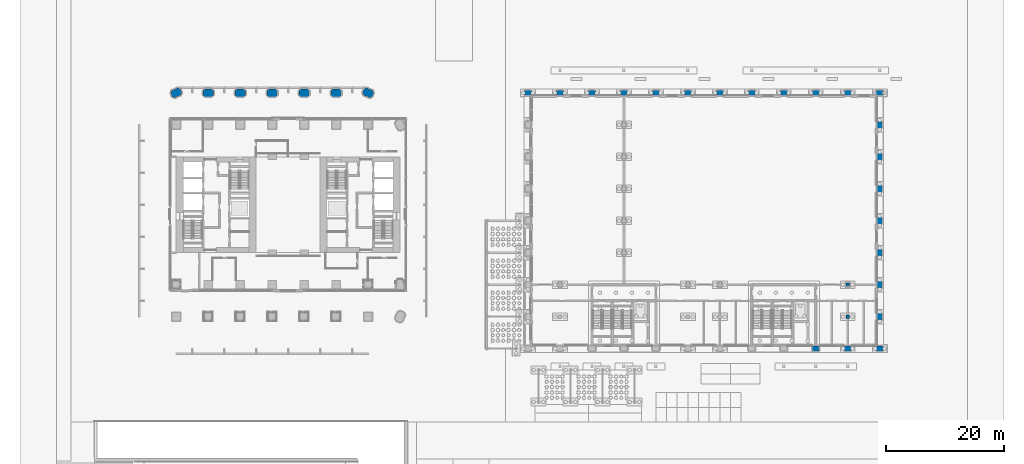
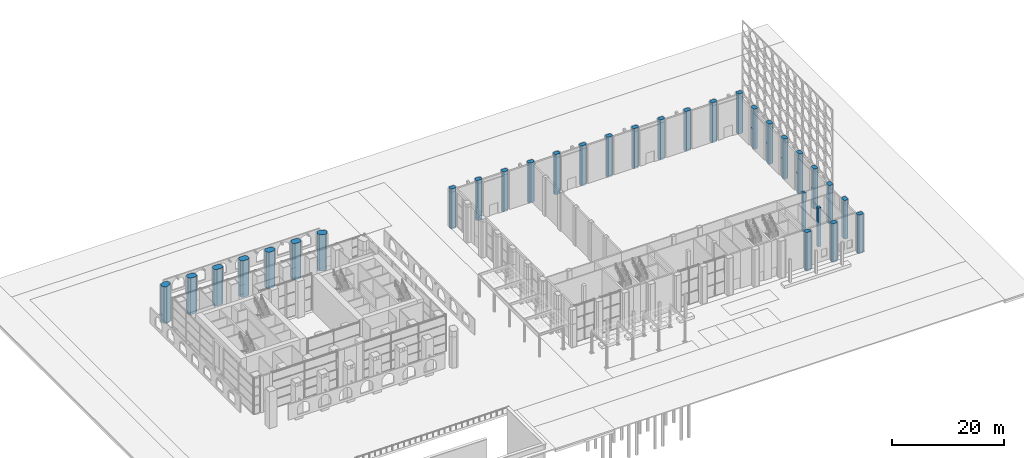
# One storey, part 7 of 54: 31 columns.
"""IFC4 building model written with IfcOpenShell, lengths in metres."""

from ifc_helpers import new_model, si_unit, direction, frame, origin, origin_2d, place, context, subcontext, project, spatial, polyline, rectangle, outline, extrude, material, material_profile, profile_set, type_object, element, save


model = new_model("IFC4")

# Units and contexts
model_context = context("Model", 3, precision=1e-05, world=origin(), true_north=direction((0.0, 1.0)))
body_context = subcontext(model_context, "Body", "Model", "MODEL_VIEW")
ifc_project = project(units=[si_unit("LENGTHUNIT", "METRE"), si_unit("AREAUNIT", "SQUARE_METRE"), si_unit("VOLUMEUNIT", "CUBIC_METRE"), si_unit("PLANEANGLEUNIT", "RADIAN"), si_unit("MASSUNIT", "GRAM", prefix="KILO")], contexts=[model_context])

# Site, building, storey
site_placement = place(None, origin())
site = spatial("IfcSite", under=ifc_project, at=site_placement, CompositionType="ELEMENT")
building_placement = place(site_placement, origin())
building = spatial("IfcBuilding", under=site, at=building_placement, Name="Tabaq Tower and Sports Hall", CompositionType="ELEMENT")
storey_placement = place(building_placement, origin())
storey = spatial("IfcBuildingStorey", under=building, at=storey_placement, Name="L00", CompositionType="ELEMENT", Elevation=0.0)

# Columns
ifc_material_1 = material(Name="Concrete C50/60", Category="concrete")
ifc_material_profile_1 = material_profile(ifc_material_1, rectangle(XDim=0.60009765625, YDim=0.60009765625, at=origin_2d()), Name="RC 600x600")
ifc_profile_set_1 = profile_set([ifc_material_profile_1], Name="Concrete C50/60")
column_type_1 = type_object("IfcColumnType", Name="HALL COLUMN RC 600x600", PredefinedType="COLUMN", material=ifc_profile_set_1)
for number, where, z_axis, x_axis, name in (
    (1, (118.800048828125, 5.39990234375, -0.39990234375), (0.0, 0.0, 1.0), (1.0, 0.0, 0.0), "Column 23B L00"),
    (2, (118.800048828125, 10.800048828125, -0.39990234375), (0.0, 0.0, 1.0), (1.0, 0.0, 0.0), "Column 23C L00"),
):
    element("IfcColumn", number, at=place(storey_placement, frame(where, z_axis=z_axis, x_axis=x_axis)), inside=storey, type_object=column_type_1, Name=name, PredefinedType="COLUMN", context=body_context, shape_type="SweptSolid", body=[
        extrude(rectangle(XDim=0.60009765625, YDim=0.60009765625, at=origin_2d()), origin(), (0.0, 0.0, 1.0), 8.5),
    ])
ifc_material_2 = material(Name="Concrete C50/60", Category="concrete")
ifc_material_profile_2 = material_profile(ifc_material_2, outline(polyline([(-0.39990234375, -0.449951171875), (0.39990234375, -0.449951171875), (0.60009765625, -0.25), (0.60009765625, 0.25), (0.39990234375, 0.449951171875), (-0.39990234375, 0.449951171875), (-0.60009765625, 0.25), (-0.60009765625, -0.25), (-0.39990234375, -0.449951171875)])), Name="PIER 1200x900")
ifc_profile_set_2 = profile_set([ifc_material_profile_2], Name="Concrete C50/60")
column_type_2 = type_object("IfcColumnType", Name="HALL PIER RC 1200x900", PredefinedType="COLUMN", material=ifc_profile_set_2)
for number, where, z_axis, x_axis, name in (
    (3, (64.800048828125, 43.199951171875, -0.39990234375), (0.0, 0.0, 1.0), (1.0, 0.0, 0.0), "Pier 13I L00"),
    (4, (70.199951171875, 43.199951171875, -0.39990234375), (0.0, 0.0, 1.0), (1.0, 0.0, 0.0), "Pier 14I L00"),
    (5, (75.60009765625, 43.199951171875, -0.39990234375), (0.0, 0.0, 1.0), (1.0, 0.0, 0.0), "Pier 15I L00"),
    (6, (81.0, 43.199951171875, -0.39990234375), (0.0, 0.0, 1.0), (1.0, 0.0, 0.0), "Pier 16I L00"),
    (7, (86.39990234375, 43.199951171875, -0.39990234375), (0.0, 0.0, 1.0), (1.0, 0.0, 0.0), "Pier 17I L00"),
    (8, (91.800048828125, 43.199951171875, -0.39990234375), (0.0, 0.0, 1.0), (1.0, 0.0, 0.0), "Pier 18I L00"),
    (9, (97.199951171875, 43.199951171875, -0.39990234375), (0.0, 0.0, 1.0), (1.0, 0.0, 0.0), "Pier 19I L00"),
    (10, (102.60009765625, 43.199951171875, -0.39990234375), (0.0, 0.0, 1.0), (1.0, 0.0, 0.0), "Pier 20I L00"),
    (11, (108.0, 43.199951171875, -0.39990234375), (0.0, 0.0, 1.0), (1.0, 0.0, 0.0), "Pier 21I L00"),
):
    element("IfcColumn", number, at=place(storey_placement, frame(where, z_axis=z_axis, x_axis=x_axis)), inside=storey, type_object=column_type_2, Name=name, PredefinedType="COLUMN", context=body_context, shape_type="SweptSolid", body=[
        extrude(outline(polyline([(-0.39990234375, -0.449951171875), (0.39990234375, -0.449951171875), (0.60009765625, -0.25), (0.60009765625, 0.25), (0.39990234375, 0.449951171875), (-0.39990234375, 0.449951171875), (-0.60009765625, 0.25), (-0.60009765625, -0.25), (-0.39990234375, -0.449951171875)])), origin(), (0.0, 0.0, 1.0), 8.7998046875),
    ])
column_1_placement = place(storey_placement, frame((113.39990234375, 0.0, -0.39990234375), z_axis=(0.0, 0.0, 1.0), x_axis=(1.0, 0.0, 0.0)))
element("IfcColumn", 12, at=column_1_placement, inside=storey, type_object=column_type_2, Name="Pier 22A L00", PredefinedType="COLUMN", context=body_context, shape_type="SweptSolid", body=[
    extrude(outline(polyline([(-0.39990234375, -0.449951171875), (0.39990234375, -0.449951171875), (0.60009765625, -0.25), (0.60009765625, 0.25), (0.39990234375, 0.449951171875), (-0.39990234375, 0.449951171875), (-0.60009765625, 0.25), (-0.60009765625, -0.25), (-0.39990234375, -0.449951171875)])), origin(), (0.0, 0.0, 1.0), 8.5),
])
column_2_placement = place(storey_placement, frame((113.39990234375, 43.199951171875, -0.39990234375), z_axis=(0.0, 0.0, 1.0), x_axis=(1.0, 0.0, 0.0)))
element("IfcColumn", 13, at=column_2_placement, inside=storey, type_object=column_type_2, Name="Pier 22I L00", PredefinedType="COLUMN", context=body_context, shape_type="SweptSolid", body=[
    extrude(outline(polyline([(-0.39990234375, -0.449951171875), (0.39990234375, -0.449951171875), (0.60009765625, -0.25), (0.60009765625, 0.25), (0.39990234375, 0.449951171875), (-0.39990234375, 0.449951171875), (-0.60009765625, 0.25), (-0.60009765625, -0.25), (-0.39990234375, -0.449951171875)])), origin(), (0.0, 0.0, 1.0), 8.7998046875),
])
column_3_placement = place(storey_placement, frame((118.800048828125, 0.0, -0.39990234375), z_axis=(0.0, 0.0, 1.0), x_axis=(1.0, 0.0, 0.0)))
element("IfcColumn", 14, at=column_3_placement, inside=storey, type_object=column_type_2, Name="Pier 23A L00", PredefinedType="COLUMN", context=body_context, shape_type="SweptSolid", body=[
    extrude(outline(polyline([(-0.39990234375, -0.449951171875), (0.39990234375, -0.449951171875), (0.60009765625, -0.25), (0.60009765625, 0.25), (0.39990234375, 0.449951171875), (-0.39990234375, 0.449951171875), (-0.60009765625, 0.25), (-0.60009765625, -0.25), (-0.39990234375, -0.449951171875)])), origin(), (0.0, 0.0, 1.0), 8.5),
])
column_4_placement = place(storey_placement, frame((118.800048828125, 43.199951171875, -0.39990234375), z_axis=(0.0, 0.0, 1.0), x_axis=(1.0, 0.0, 0.0)))
element("IfcColumn", 15, at=column_4_placement, inside=storey, type_object=column_type_2, Name="Pier 23I L00", PredefinedType="COLUMN", context=body_context, shape_type="SweptSolid", body=[
    extrude(outline(polyline([(-0.39990234375, -0.449951171875), (0.39990234375, -0.449951171875), (0.60009765625, -0.25), (0.60009765625, 0.25), (0.39990234375, 0.449951171875), (-0.39990234375, 0.449951171875), (-0.60009765625, 0.25), (-0.60009765625, -0.25), (-0.39990234375, -0.449951171875)])), origin(), (0.0, 0.0, 1.0), 8.7998046875),
])
for number, where, z_axis, x_axis, name in (
    (16, (124.199951171875, 0.0, -0.39990234375), (0.0, 0.0, 1.0), (1.0, 0.0, 0.0), "Pier 24A L00"),
    (17, (124.199951171875, 5.39990234375, -0.39990234375), (0.0, 0.0, 1.0), (0.0, 1.0, 0.0), "Pier 24B L00"),
    (18, (124.199951171875, 10.800048828125, -0.39990234375), (0.0, 0.0, 1.0), (0.0, 1.0, 0.0), "Pier 24C L00"),
):
    element("IfcColumn", number, at=place(storey_placement, frame(where, z_axis=z_axis, x_axis=x_axis)), inside=storey, type_object=column_type_2, Name=name, PredefinedType="COLUMN", context=body_context, shape_type="SweptSolid", body=[
        extrude(outline(polyline([(-0.39990234375, -0.449951171875), (0.39990234375, -0.449951171875), (0.60009765625, -0.25), (0.60009765625, 0.25), (0.39990234375, 0.449951171875), (-0.39990234375, 0.449951171875), (-0.60009765625, 0.25), (-0.60009765625, -0.25), (-0.39990234375, -0.449951171875)])), origin(), (0.0, 0.0, 1.0), 8.5),
    ])
for number, where, z_axis, x_axis, name in (
    (19, (124.199951171875, 16.199951171875, -0.39990234375), (0.0, 0.0, 1.0), (0.0, 1.0, 0.0), "Pier 24D L00"),
    (20, (124.199951171875, 21.60009765625, -0.39990234375), (0.0, 0.0, 1.0), (0.0, 1.0, 0.0), "Pier 24E L00"),
    (21, (124.199951171875, 27.0, -0.39990234375), (0.0, 0.0, 1.0), (0.0, 1.0, 0.0), "Pier 24F L00"),
    (22, (124.199951171875, 32.39990234375, -0.39990234375), (0.0, 0.0, 1.0), (0.0, 1.0, 0.0), "Pier 24G L00"),
    (23, (124.199951171875, 37.800048828125, -0.39990234375), (0.0, 0.0, 1.0), (0.0, 1.0, 0.0), "Pier 24H L00"),
    (24, (124.199951171875, 43.199951171875, -0.39990234375), (0.0, 0.0, 1.0), (1.0, 0.0, 0.0), "Pier 24I L00"),
):
    element("IfcColumn", number, at=place(storey_placement, frame(where, z_axis=z_axis, x_axis=x_axis)), inside=storey, type_object=column_type_2, Name=name, PredefinedType="COLUMN", context=body_context, shape_type="SweptSolid", body=[
        extrude(outline(polyline([(-0.39990234375, -0.449951171875), (0.39990234375, -0.449951171875), (0.60009765625, -0.25), (0.60009765625, 0.25), (0.39990234375, 0.449951171875), (-0.39990234375, 0.449951171875), (-0.60009765625, 0.25), (-0.60009765625, -0.25), (-0.39990234375, -0.449951171875)])), origin(), (0.0, 0.0, 1.0), 8.7998046875),
    ])
ifc_material_3 = material(Name="Concrete C60/75", Category="concrete")
ifc_material_profile_3 = material_profile(ifc_material_3, outline(polyline([(-0.5625, -0.675048828125), (0.5625, -0.675048828125), (0.89990234375, -0.33740234375), (0.89990234375, 0.33740234375), (0.5625, 0.675048828125), (-0.5625, 0.675048828125), (-0.89990234375, 0.33740234375), (-0.89990234375, -0.33740234375), (-0.5625, -0.675048828125)])), Name="PIER 1800x1350")
ifc_profile_set_3 = profile_set([ifc_material_profile_3], Name="Concrete C60/75")
column_type_3 = type_object("IfcColumnType", Name="RC COLUMN PIER 1800x1350 C60/75", PredefinedType="COLUMN", material=ifc_profile_set_3)
for number, where, z_axis, x_axis, name in (
    (25, (5.39990234375, 43.199951171875, 0.0), (0.0, 0.0, 1.0), (0.923879532511, 0.382683432365, 0.0), "Pier 2/I L00"),
    (26, (10.800048828125, 43.199951171875, 0.0), (0.0, 0.0, 1.0), (1.0, 0.0, 0.0), "Pier 3/I L00"),
    (27, (16.199951171875, 43.199951171875, 0.0), (0.0, 0.0, 1.0), (1.0, 0.0, 0.0), "Pier 4/I L00"),
    (28, (21.60009765625, 43.199951171875, 0.0), (0.0, 0.0, 1.0), (1.0, 0.0, 0.0), "Pier 5/I L00"),
    (29, (27.0, 43.199951171875, 0.0), (0.0, 0.0, 1.0), (1.0, 0.0, 0.0), "Pier 6/I L00"),
    (30, (32.39990234375, 43.199951171875, 0.0), (0.0, 0.0, 1.0), (1.0, 0.0, 0.0), "Pier 7/I L00"),
    (31, (37.800048828125, 43.199951171875, 0.0), (0.0, 0.0, 1.0), (-0.923879532511, 0.382683432365, 0.0), "Pier 8/I L00"),
):
    element("IfcColumn", number, at=place(storey_placement, frame(where, z_axis=z_axis, x_axis=x_axis)), inside=storey, type_object=column_type_3, Name=name, PredefinedType="COLUMN", context=body_context, shape_type="SweptSolid", body=[
        extrude(outline(polyline([(-0.5625, -0.675048828125), (0.5625, -0.675048828125), (0.89990234375, -0.33740234375), (0.89990234375, 0.33740234375), (0.5625, 0.675048828125), (-0.5625, 0.675048828125), (-0.89990234375, 0.33740234375), (-0.89990234375, -0.33740234375), (-0.5625, -0.675048828125)])), origin(), (0.0, 0.0, 1.0), 8.0),
    ])

save(model, "model.ifc")
